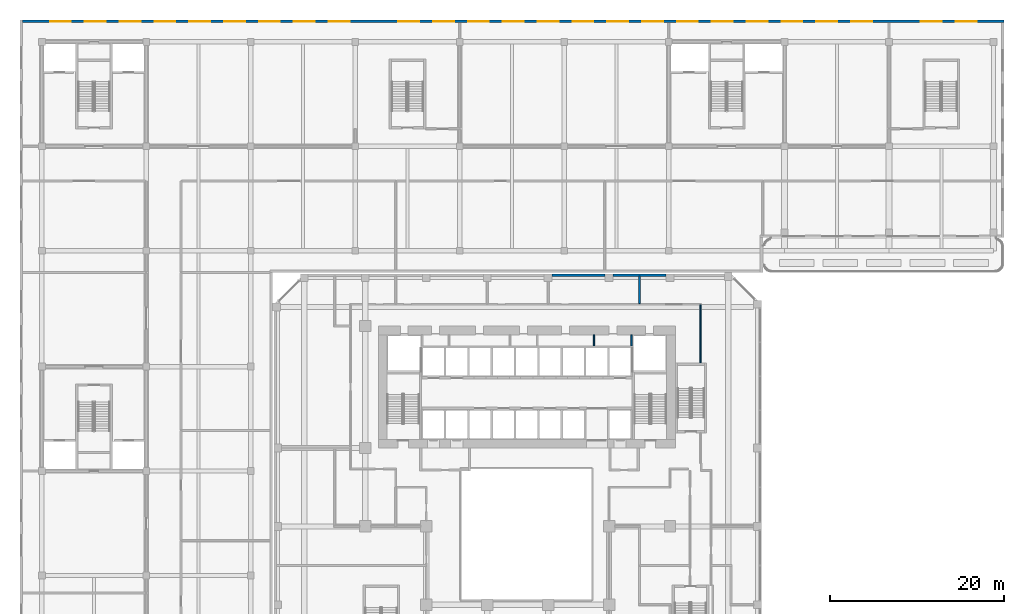
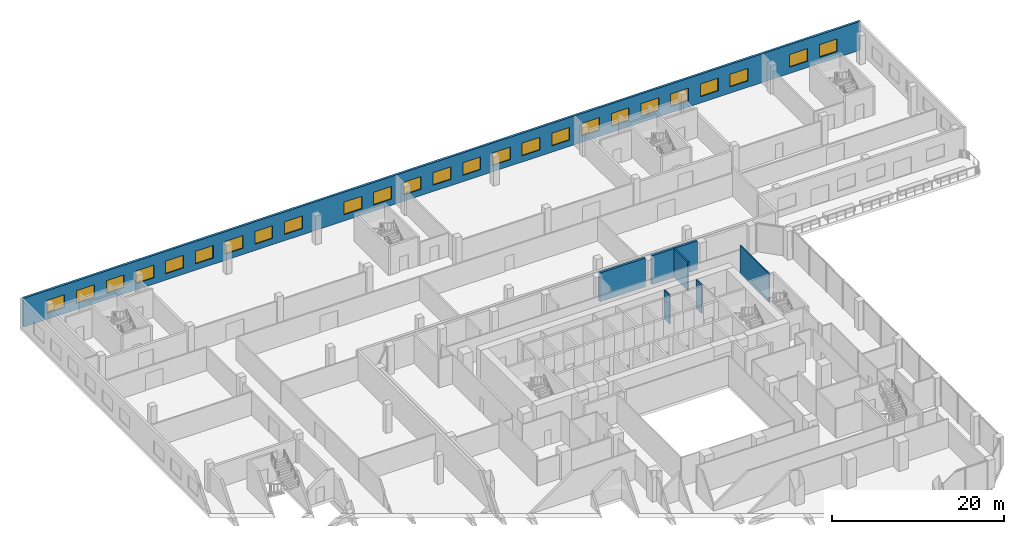
# One storey, part 23 of 35: 25 windows, 7 walls, 25 openings.
"""IFC4 building model written with IfcOpenShell, lengths in metres."""

from ifc_helpers import new_model, si_unit, direction, frame, frame_2d, origin, place, context, subcontext, project, spatial, rectangle, extrude, source, transform, mapped, material, layer, layer_set, type_object, element, fill, save


model = new_model("IFC4")

# Units and contexts
model_context = context("Model", 3, precision=1e-05, world=origin(), true_north=direction((0.0, 1.0)))
body_context = subcontext(model_context, "Body", "Model", "MODEL_VIEW")
ifc_project = project(units=[si_unit("LENGTHUNIT", "METRE"), si_unit("AREAUNIT", "SQUARE_METRE"), si_unit("VOLUMEUNIT", "CUBIC_METRE"), si_unit("PLANEANGLEUNIT", "RADIAN"), si_unit("MASSUNIT", "GRAM", prefix="KILO")], contexts=[model_context])

# Site, building, storey
site_placement = place(None, origin())
site = spatial("IfcSite", under=ifc_project, at=site_placement, CompositionType="ELEMENT")
building_placement = place(site_placement, origin())
building = spatial("IfcBuilding", under=site, at=building_placement, Name="Kilnfold Tower and Market Hall", CompositionType="ELEMENT")
storey_placement = place(building_placement, frame((0.0, 0.0, 13.5)))
storey = spatial("IfcBuildingStorey", under=building, at=storey_placement, Name="L02", CompositionType="ELEMENT", Elevation=13.5)

# Walls
ifc_material_1 = material(Name="Gypsum board on steel studs", Category="steel")
ifc_layer_1 = layer(ifc_material_1, 0.14990234375)
ifc_layer_set_1 = layer_set([ifc_layer_1], Name="Gypsum board on steel studs")
wall_type_1 = type_object("IfcWallType", Name="WALL CORRIDOR 150", PredefinedType="PARTITIONING", material=ifc_layer_set_1)
wall_1_placement = place(storey_placement, frame((21.0, 17.75, 0.0), z_axis=(0.0, 0.0, 1.0), x_axis=(0.0, 1.0, 0.0)))
element("IfcWall", 1, at=wall_1_placement, inside=storey, type_object=wall_type_1, Name="Partition LY03.23", PredefinedType="PARTITIONING", context=body_context, shape_type="SweptSolid", body=[
    extrude(rectangle(XDim=6.675048828125, YDim=0.14990234375, at=frame_2d((3.33740234375, 0.0))), origin(), (0.0, 0.0, 1.0), 4.10009765625),
])
ifc_material_2 = material(Name="Gypsum board on steel studs", Category="steel")
ifc_layer_2 = layer(ifc_material_2, 0.199951171875)
ifc_layer_set_2 = layer_set([ifc_layer_2], Name="Gypsum board on steel studs")
wall_type_2 = type_object("IfcWallType", Name="WALL PARTY 200", PredefinedType="PARTITIONING", material=ifc_layer_set_2)
wall_2_placement = place(storey_placement, frame((14.0, 24.575927734375, 0.0), z_axis=(0.0, 0.0, 1.0), x_axis=(0.0, 1.0, 0.0)))
element("IfcWall", 2, at=wall_2_placement, inside=storey, type_object=wall_type_2, Name="Partition LY03.61", PredefinedType="PARTITIONING", context=body_context, shape_type="SweptSolid", body=[
    extrude(rectangle(XDim=3.174072265625, YDim=0.199951171875, at=frame_2d((1.5869140625, 0.0))), origin(), (0.0, 0.0, 1.0), 4.10009765625),
])
ifc_material_3 = material(Name="Precast concrete C50/60", Category="concrete")
ifc_layer_3 = layer(ifc_material_3, 0.300048828125)
ifc_layer_set_3 = layer_set([ifc_layer_3], Name="Precast concrete C50/60")
wall_type_3 = type_object("IfcWallType", Name="PRECAST WALL 300", PredefinedType="SOLIDWALL", material=ifc_layer_set_3)
shared_shape_1 = source(origin(), body_context, "Body", "SweptSolid", [
    extrude(rectangle(XDim=6.10009765625, YDim=0.300048828125, at=frame_2d((3.050048828125, 0.0))), origin(), (0.0, 0.0, 1.0), 4.10009765625),
])
for number, where, z_axis, x_axis, name in (
    (3, (17.050048828125, 27.85009765625, 0.0), (0.0, 0.0, 1.0), (-1.0, 0.0, 0.0), "Party wall L02 N"),
    (4, (10.050048828125, 27.85009765625, 0.0), (0.0, 0.0, 1.0), (-1.0, 0.0, 0.0), "Party wall L02 N"),
):
    element("IfcWall", number, at=place(storey_placement, frame(where, z_axis=z_axis, x_axis=x_axis)), inside=storey, type_object=wall_type_3, Name=name, PredefinedType="SOLIDWALL", context=body_context, shape_type="MappedRepresentation", body=[
        mapped(shared_shape_1, transform((0.0, 0.0, 0.0))),
    ])

# Wall, openings, windows
ifc_material_4 = material(Name="Concrete blockwork", Category="masonry")
ifc_layer_4 = layer(ifc_material_4, 0.300048828125)
ifc_layer_set_4 = layer_set([ifc_layer_4], Name="Concrete blockwork")
wall_type_4 = type_object("IfcWallType", Name="HALL EXTERNAL WALL 300 EI 60", PredefinedType="SOLIDWALL", material=ifc_layer_set_4)
shared_shape_2 = source(origin(), body_context, "Body", "SweptSolid", [
    extrude(rectangle(XDim=112.7001953125, YDim=0.300048828125, at=frame_2d((56.35009765625, 0.0))), origin(), (0.0, 0.0, 1.0), 4.10009765625),
])
wall_3_placement = place(storey_placement, frame((-56.85009765625, 57.0, 0.0), z_axis=(0.0, 0.0, 1.0), x_axis=(1.0, 0.0, 0.0)))
wall_3 = element("IfcWall", 5, at=wall_3_placement, inside=storey, type_object=wall_type_4, Name="External wall MEW-L02.2", PredefinedType="SOLIDWALL", context=body_context, shape_type="MappedRepresentation", body=[
    mapped(shared_shape_2, transform((0.0, 0.0, 0.0))),
])
opening_1_placement = place(wall_3_placement, frame((3.14990234375, 0.0, 0.89990234375)))
opening_1 = element("IfcOpeningElement", 6, at=opening_1_placement, cuts=wall_3, Name="Opening MEN3", PredefinedType="OPENING", context=body_context, shape_type="SweptSolid", body=[
    extrude(rectangle(XDim=2.39990234375, YDim=1.800048828125, at=frame_2d((1.199951171875, 0.89990234375))), frame((0.0, 0.16015625, 0.0), z_axis=(0.0, -1.0, 0.0), x_axis=(1.0, 0.0, 0.0)), (0.0, 0.0, 1.0), 0.320068359375),
])
opening_2_placement = place(wall_3_placement, frame((7.14990234375, 0.0, 0.89990234375)))
opening_2 = element("IfcOpeningElement", 7, at=opening_2_placement, cuts=wall_3, Name="Opening MEN3", PredefinedType="OPENING", context=body_context, shape_type="SweptSolid", body=[
    extrude(rectangle(XDim=2.39990234375, YDim=1.800048828125, at=frame_2d((1.199951171875, 0.89990234375))), frame((0.0, 0.16015625, 0.0), z_axis=(0.0, -1.0, 0.0), x_axis=(1.0, 0.0, 0.0)), (0.0, 0.0, 1.0), 0.320068359375),
])
opening_3_placement = place(wall_3_placement, frame((11.14990234375, 0.0, 0.89990234375)))
opening_3 = element("IfcOpeningElement", 8, at=opening_3_placement, cuts=wall_3, Name="Opening MEN3", PredefinedType="OPENING", context=body_context, shape_type="SweptSolid", body=[
    extrude(rectangle(XDim=2.39990234375, YDim=1.800048828125, at=frame_2d((1.199951171875, 0.89990234375))), frame((0.0, 0.16015625, 0.0), z_axis=(0.0, -1.0, 0.0), x_axis=(1.0, 0.0, 0.0)), (0.0, 0.0, 1.0), 0.320068359375),
])
opening_4_placement = place(wall_3_placement, frame((15.14990234375, 0.0, 0.89990234375)))
opening_4 = element("IfcOpeningElement", 9, at=opening_4_placement, cuts=wall_3, Name="Opening MEN3", PredefinedType="OPENING", context=body_context, shape_type="SweptSolid", body=[
    extrude(rectangle(XDim=2.39990234375, YDim=1.800048828125, at=frame_2d((1.199951171875, 0.89990234375))), frame((0.0, 0.16015625, 0.0), z_axis=(0.0, -1.0, 0.0), x_axis=(1.0, 0.0, 0.0)), (0.0, 0.0, 1.0), 0.320068359375),
])
opening_5_placement = place(wall_3_placement, frame((19.14990234375, 0.0, 0.89990234375)))
opening_5 = element("IfcOpeningElement", 10, at=opening_5_placement, cuts=wall_3, Name="Opening MEN3", PredefinedType="OPENING", context=body_context, shape_type="SweptSolid", body=[
    extrude(rectangle(XDim=2.39990234375, YDim=1.800048828125, at=frame_2d((1.199951171875, 0.89990234375))), frame((0.0, 0.16015625, 0.0), z_axis=(0.0, -1.0, 0.0), x_axis=(1.0, 0.0, 0.0)), (0.0, 0.0, 1.0), 0.320068359375),
])
opening_6_placement = place(wall_3_placement, frame((23.14990234375, 0.0, 0.89990234375)))
opening_6 = element("IfcOpeningElement", 11, at=opening_6_placement, cuts=wall_3, Name="Opening MEN3", PredefinedType="OPENING", context=body_context, shape_type="SweptSolid", body=[
    extrude(rectangle(XDim=2.39990234375, YDim=1.800048828125, at=frame_2d((1.199951171875, 0.89990234375))), frame((0.0, 0.16015625, 0.0), z_axis=(0.0, -1.0, 0.0), x_axis=(1.0, 0.0, 0.0)), (0.0, 0.0, 1.0), 0.320068359375),
])
opening_7_placement = place(wall_3_placement, frame((27.14990234375, 0.0, 0.89990234375)))
opening_7 = element("IfcOpeningElement", 12, at=opening_7_placement, cuts=wall_3, Name="Opening MEN3", PredefinedType="OPENING", context=body_context, shape_type="SweptSolid", body=[
    extrude(rectangle(XDim=2.39990234375, YDim=1.800048828125, at=frame_2d((1.199951171875, 0.89990234375))), frame((0.0, 0.16015625, 0.0), z_axis=(0.0, -1.0, 0.0), x_axis=(1.0, 0.0, 0.0)), (0.0, 0.0, 1.0), 0.320068359375),
])
opening_8_placement = place(wall_3_placement, frame((31.14990234375, 0.0, 0.89990234375)))
opening_8 = element("IfcOpeningElement", 13, at=opening_8_placement, cuts=wall_3, Name="Opening MEN3", PredefinedType="OPENING", context=body_context, shape_type="SweptSolid", body=[
    extrude(rectangle(XDim=2.39990234375, YDim=1.800048828125, at=frame_2d((1.199951171875, 0.89990234375))), frame((0.0, 0.16015625, 0.0), z_axis=(0.0, -1.0, 0.0), x_axis=(1.0, 0.0, 0.0)), (0.0, 0.0, 1.0), 0.320068359375),
])
opening_9_placement = place(wall_3_placement, frame((35.14990234375, 0.0, 0.89990234375)))
opening_9 = element("IfcOpeningElement", 14, at=opening_9_placement, cuts=wall_3, Name="Opening MEN3", PredefinedType="OPENING", context=body_context, shape_type="SweptSolid", body=[
    extrude(rectangle(XDim=2.39990234375, YDim=1.800048828125, at=frame_2d((1.199951171875, 0.89990234375))), frame((0.0, 0.16015625, 0.0), z_axis=(0.0, -1.0, 0.0), x_axis=(1.0, 0.0, 0.0)), (0.0, 0.0, 1.0), 0.320068359375),
])
opening_10_placement = place(wall_3_placement, frame((43.14990234375, 0.0, 0.89990234375)))
opening_10 = element("IfcOpeningElement", 15, at=opening_10_placement, cuts=wall_3, Name="Opening MEN3", PredefinedType="OPENING", context=body_context, shape_type="SweptSolid", body=[
    extrude(rectangle(XDim=2.39990234375, YDim=1.800048828125, at=frame_2d((1.199951171875, 0.89990234375))), frame((0.0, 0.16015625, 0.0), z_axis=(0.0, -1.0, 0.0), x_axis=(1.0, 0.0, 0.0)), (0.0, 0.0, 1.0), 0.320068359375),
])
opening_11_placement = place(wall_3_placement, frame((47.14990234375, 0.0, 0.89990234375)))
opening_11 = element("IfcOpeningElement", 16, at=opening_11_placement, cuts=wall_3, Name="Opening MEN3", PredefinedType="OPENING", context=body_context, shape_type="SweptSolid", body=[
    extrude(rectangle(XDim=2.39990234375, YDim=1.800048828125, at=frame_2d((1.199951171875, 0.89990234375))), frame((0.0, 0.16015625, 0.0), z_axis=(0.0, -1.0, 0.0), x_axis=(1.0, 0.0, 0.0)), (0.0, 0.0, 1.0), 0.320068359375),
])
opening_12_placement = place(wall_3_placement, frame((51.14990234375, 0.0, 0.89990234375)))
opening_12 = element("IfcOpeningElement", 17, at=opening_12_placement, cuts=wall_3, Name="Opening MEN3", PredefinedType="OPENING", context=body_context, shape_type="SweptSolid", body=[
    extrude(rectangle(XDim=2.39990234375, YDim=1.800048828125, at=frame_2d((1.199951171875, 0.89990234375))), frame((0.0, 0.16015625, 0.0), z_axis=(0.0, -1.0, 0.0), x_axis=(1.0, 0.0, 0.0)), (0.0, 0.0, 1.0), 0.320068359375),
])
opening_13_placement = place(wall_3_placement, frame((55.14990234375, 0.0, 0.89990234375)))
opening_13 = element("IfcOpeningElement", 18, at=opening_13_placement, cuts=wall_3, Name="Opening MEN3", PredefinedType="OPENING", context=body_context, shape_type="SweptSolid", body=[
    extrude(rectangle(XDim=2.39990234375, YDim=1.800048828125, at=frame_2d((1.199951171875, 0.89990234375))), frame((0.0, 0.16015625, 0.0), z_axis=(0.0, -1.0, 0.0), x_axis=(1.0, 0.0, 0.0)), (0.0, 0.0, 1.0), 0.320068359375),
])
opening_14_placement = place(wall_3_placement, frame((59.14990234375, 0.0, 0.89990234375)))
opening_14 = element("IfcOpeningElement", 19, at=opening_14_placement, cuts=wall_3, Name="Opening MEN3", PredefinedType="OPENING", context=body_context, shape_type="SweptSolid", body=[
    extrude(rectangle(XDim=2.39990234375, YDim=1.800048828125, at=frame_2d((1.199951171875, 0.89990234375))), frame((0.0, 0.16015625, 0.0), z_axis=(0.0, -1.0, 0.0), x_axis=(1.0, 0.0, 0.0)), (0.0, 0.0, 1.0), 0.320068359375),
])
opening_15_placement = place(wall_3_placement, frame((63.14990234375, 0.0, 0.89990234375)))
opening_15 = element("IfcOpeningElement", 20, at=opening_15_placement, cuts=wall_3, Name="Opening MEN3", PredefinedType="OPENING", context=body_context, shape_type="SweptSolid", body=[
    extrude(rectangle(XDim=2.39990234375, YDim=1.800048828125, at=frame_2d((1.199951171875, 0.89990234375))), frame((0.0, 0.16015625, 0.0), z_axis=(0.0, -1.0, 0.0), x_axis=(1.0, 0.0, 0.0)), (0.0, 0.0, 1.0), 0.320068359375),
])
opening_16_placement = place(wall_3_placement, frame((67.14990234375, 0.0, 0.89990234375)))
opening_16 = element("IfcOpeningElement", 21, at=opening_16_placement, cuts=wall_3, Name="Opening MEN3", PredefinedType="OPENING", context=body_context, shape_type="SweptSolid", body=[
    extrude(rectangle(XDim=2.39990234375, YDim=1.800048828125, at=frame_2d((1.199951171875, 0.89990234375))), frame((0.0, 0.16015625, 0.0), z_axis=(0.0, -1.0, 0.0), x_axis=(1.0, 0.0, 0.0)), (0.0, 0.0, 1.0), 0.320068359375),
])
opening_17_placement = place(wall_3_placement, frame((71.14990234375, 0.0, 0.89990234375)))
opening_17 = element("IfcOpeningElement", 22, at=opening_17_placement, cuts=wall_3, Name="Opening MEN3", PredefinedType="OPENING", context=body_context, shape_type="SweptSolid", body=[
    extrude(rectangle(XDim=2.39990234375, YDim=1.800048828125, at=frame_2d((1.199951171875, 0.89990234375))), frame((0.0, 0.16015625, 0.0), z_axis=(0.0, -1.0, 0.0), x_axis=(1.0, 0.0, 0.0)), (0.0, 0.0, 1.0), 0.320068359375),
])
opening_18_placement = place(wall_3_placement, frame((75.14990234375, 0.0, 0.89990234375)))
opening_18 = element("IfcOpeningElement", 23, at=opening_18_placement, cuts=wall_3, Name="Opening MEN3", PredefinedType="OPENING", context=body_context, shape_type="SweptSolid", body=[
    extrude(rectangle(XDim=2.39990234375, YDim=1.800048828125, at=frame_2d((1.199951171875, 0.89990234375))), frame((0.0, 0.16015625, 0.0), z_axis=(0.0, -1.0, 0.0), x_axis=(1.0, 0.0, 0.0)), (0.0, 0.0, 1.0), 0.320068359375),
])
opening_19_placement = place(wall_3_placement, frame((79.14990234375, 0.0, 0.89990234375)))
opening_19 = element("IfcOpeningElement", 24, at=opening_19_placement, cuts=wall_3, Name="Opening MEN3", PredefinedType="OPENING", context=body_context, shape_type="SweptSolid", body=[
    extrude(rectangle(XDim=2.39990234375, YDim=1.800048828125, at=frame_2d((1.199951171875, 0.89990234375))), frame((0.0, 0.16015625, 0.0), z_axis=(0.0, -1.0, 0.0), x_axis=(1.0, 0.0, 0.0)), (0.0, 0.0, 1.0), 0.320068359375),
])
opening_20_placement = place(wall_3_placement, frame((83.14990234375, 0.0, 0.89990234375)))
opening_20 = element("IfcOpeningElement", 25, at=opening_20_placement, cuts=wall_3, Name="Opening MEN3", PredefinedType="OPENING", context=body_context, shape_type="SweptSolid", body=[
    extrude(rectangle(XDim=2.39990234375, YDim=1.800048828125, at=frame_2d((1.199951171875, 0.89990234375))), frame((0.0, 0.16015625, 0.0), z_axis=(0.0, -1.0, 0.0), x_axis=(1.0, 0.0, 0.0)), (0.0, 0.0, 1.0), 0.320068359375),
])
opening_21_placement = place(wall_3_placement, frame((87.14990234375, 0.0, 0.89990234375)))
opening_21 = element("IfcOpeningElement", 26, at=opening_21_placement, cuts=wall_3, Name="Opening MEN3", PredefinedType="OPENING", context=body_context, shape_type="SweptSolid", body=[
    extrude(rectangle(XDim=2.39990234375, YDim=1.800048828125, at=frame_2d((1.199951171875, 0.89990234375))), frame((0.0, 0.16015625, 0.0), z_axis=(0.0, -1.0, 0.0), x_axis=(1.0, 0.0, 0.0)), (0.0, 0.0, 1.0), 0.320068359375),
])
opening_22_placement = place(wall_3_placement, frame((91.14990234375, 0.0, 0.89990234375)))
opening_22 = element("IfcOpeningElement", 27, at=opening_22_placement, cuts=wall_3, Name="Opening MEN3", PredefinedType="OPENING", context=body_context, shape_type="SweptSolid", body=[
    extrude(rectangle(XDim=2.39990234375, YDim=1.800048828125, at=frame_2d((1.199951171875, 0.89990234375))), frame((0.0, 0.16015625, 0.0), z_axis=(0.0, -1.0, 0.0), x_axis=(1.0, 0.0, 0.0)), (0.0, 0.0, 1.0), 0.320068359375),
])
opening_23_placement = place(wall_3_placement, frame((95.14990234375, 0.0, 0.89990234375)))
opening_23 = element("IfcOpeningElement", 28, at=opening_23_placement, cuts=wall_3, Name="Opening MEN3", PredefinedType="OPENING", context=body_context, shape_type="SweptSolid", body=[
    extrude(rectangle(XDim=2.39990234375, YDim=1.800048828125, at=frame_2d((1.199951171875, 0.89990234375))), frame((0.0, 0.16015625, 0.0), z_axis=(0.0, -1.0, 0.0), x_axis=(1.0, 0.0, 0.0)), (0.0, 0.0, 1.0), 0.320068359375),
])
opening_24_placement = place(wall_3_placement, frame((103.14990234375, 0.0, 0.89990234375)))
opening_24 = element("IfcOpeningElement", 29, at=opening_24_placement, cuts=wall_3, Name="Opening MEN3", PredefinedType="OPENING", context=body_context, shape_type="SweptSolid", body=[
    extrude(rectangle(XDim=2.39990234375, YDim=1.800048828125, at=frame_2d((1.199951171875, 0.89990234375))), frame((0.0, 0.16015625, 0.0), z_axis=(0.0, -1.0, 0.0), x_axis=(1.0, 0.0, 0.0)), (0.0, 0.0, 1.0), 0.320068359375),
])
opening_25_placement = place(wall_3_placement, frame((107.14990234375, 0.0, 0.89990234375)))
opening_25 = element("IfcOpeningElement", 30, at=opening_25_placement, cuts=wall_3, Name="Opening MEN3", PredefinedType="OPENING", context=body_context, shape_type="SweptSolid", body=[
    extrude(rectangle(XDim=2.39990234375, YDim=1.800048828125, at=frame_2d((1.199951171875, 0.89990234375))), frame((0.0, 0.16015625, 0.0), z_axis=(0.0, -1.0, 0.0), x_axis=(1.0, 0.0, 0.0)), (0.0, 0.0, 1.0), 0.320068359375),
])
ifc_material_5 = material(Name="Aluminium glazing", Category="aluminium")
window_type = type_object("IfcWindowType", Name="HALL WINDOW 2400X1800", PartitioningType="SINGLE_PANEL", PredefinedType="WINDOW", material=ifc_material_5)
window_1_placement = place(opening_1_placement, origin())
window_1 = element("IfcWindow", 31, at=window_1_placement, inside=storey, type_object=window_type, Name="Window upper", OverallHeight=1.800048828125, OverallWidth=2.39990234375, PartitioningType="SINGLE_PANEL", PredefinedType="WINDOW", context=body_context, shape_type="SweptSolid", body=[
    extrude(rectangle(XDim=2.39990234375, YDim=1.800048828125, at=frame_2d((1.199951171875, 0.89990234375))), frame((0.0, 0.030029296875, 0.0), z_axis=(0.0, -1.0, 0.0), x_axis=(1.0, 0.0, 0.0)), (0.0, 0.0, 1.0), 0.06005859375),
])
fill(opening_1, window_1)
window_2_placement = place(opening_2_placement, origin())
window_2 = element("IfcWindow", 32, at=window_2_placement, inside=storey, type_object=window_type, Name="Window upper", OverallHeight=1.800048828125, OverallWidth=2.39990234375, PartitioningType="SINGLE_PANEL", PredefinedType="WINDOW", context=body_context, shape_type="SweptSolid", body=[
    extrude(rectangle(XDim=2.39990234375, YDim=1.800048828125, at=frame_2d((1.199951171875, 0.89990234375))), frame((0.0, 0.030029296875, 0.0), z_axis=(0.0, -1.0, 0.0), x_axis=(1.0, 0.0, 0.0)), (0.0, 0.0, 1.0), 0.06005859375),
])
fill(opening_2, window_2)
window_3_placement = place(opening_3_placement, origin())
window_3 = element("IfcWindow", 33, at=window_3_placement, inside=storey, type_object=window_type, Name="Window upper", OverallHeight=1.800048828125, OverallWidth=2.39990234375, PartitioningType="SINGLE_PANEL", PredefinedType="WINDOW", context=body_context, shape_type="SweptSolid", body=[
    extrude(rectangle(XDim=2.39990234375, YDim=1.800048828125, at=frame_2d((1.199951171875, 0.89990234375))), frame((0.0, 0.030029296875, 0.0), z_axis=(0.0, -1.0, 0.0), x_axis=(1.0, 0.0, 0.0)), (0.0, 0.0, 1.0), 0.06005859375),
])
fill(opening_3, window_3)
window_4_placement = place(opening_4_placement, origin())
window_4 = element("IfcWindow", 34, at=window_4_placement, inside=storey, type_object=window_type, Name="Window upper", OverallHeight=1.800048828125, OverallWidth=2.39990234375, PartitioningType="SINGLE_PANEL", PredefinedType="WINDOW", context=body_context, shape_type="SweptSolid", body=[
    extrude(rectangle(XDim=2.39990234375, YDim=1.800048828125, at=frame_2d((1.199951171875, 0.89990234375))), frame((0.0, 0.030029296875, 0.0), z_axis=(0.0, -1.0, 0.0), x_axis=(1.0, 0.0, 0.0)), (0.0, 0.0, 1.0), 0.06005859375),
])
fill(opening_4, window_4)
window_5_placement = place(opening_5_placement, origin())
window_5 = element("IfcWindow", 35, at=window_5_placement, inside=storey, type_object=window_type, Name="Window upper", OverallHeight=1.800048828125, OverallWidth=2.39990234375, PartitioningType="SINGLE_PANEL", PredefinedType="WINDOW", context=body_context, shape_type="SweptSolid", body=[
    extrude(rectangle(XDim=2.39990234375, YDim=1.800048828125, at=frame_2d((1.199951171875, 0.89990234375))), frame((0.0, 0.030029296875, 0.0), z_axis=(0.0, -1.0, 0.0), x_axis=(1.0, 0.0, 0.0)), (0.0, 0.0, 1.0), 0.06005859375),
])
fill(opening_5, window_5)
window_6_placement = place(opening_6_placement, origin())
window_6 = element("IfcWindow", 36, at=window_6_placement, inside=storey, type_object=window_type, Name="Window upper", OverallHeight=1.800048828125, OverallWidth=2.39990234375, PartitioningType="SINGLE_PANEL", PredefinedType="WINDOW", context=body_context, shape_type="SweptSolid", body=[
    extrude(rectangle(XDim=2.39990234375, YDim=1.800048828125, at=frame_2d((1.199951171875, 0.89990234375))), frame((0.0, 0.030029296875, 0.0), z_axis=(0.0, -1.0, 0.0), x_axis=(1.0, 0.0, 0.0)), (0.0, 0.0, 1.0), 0.06005859375),
])
fill(opening_6, window_6)
window_7_placement = place(opening_7_placement, origin())
window_7 = element("IfcWindow", 37, at=window_7_placement, inside=storey, type_object=window_type, Name="Window upper", OverallHeight=1.800048828125, OverallWidth=2.39990234375, PartitioningType="SINGLE_PANEL", PredefinedType="WINDOW", context=body_context, shape_type="SweptSolid", body=[
    extrude(rectangle(XDim=2.39990234375, YDim=1.800048828125, at=frame_2d((1.199951171875, 0.89990234375))), frame((0.0, 0.030029296875, 0.0), z_axis=(0.0, -1.0, 0.0), x_axis=(1.0, 0.0, 0.0)), (0.0, 0.0, 1.0), 0.06005859375),
])
fill(opening_7, window_7)
window_8_placement = place(opening_8_placement, origin())
window_8 = element("IfcWindow", 38, at=window_8_placement, inside=storey, type_object=window_type, Name="Window upper", OverallHeight=1.800048828125, OverallWidth=2.39990234375, PartitioningType="SINGLE_PANEL", PredefinedType="WINDOW", context=body_context, shape_type="SweptSolid", body=[
    extrude(rectangle(XDim=2.39990234375, YDim=1.800048828125, at=frame_2d((1.199951171875, 0.89990234375))), frame((0.0, 0.030029296875, 0.0), z_axis=(0.0, -1.0, 0.0), x_axis=(1.0, 0.0, 0.0)), (0.0, 0.0, 1.0), 0.06005859375),
])
fill(opening_8, window_8)
window_9_placement = place(opening_9_placement, origin())
window_9 = element("IfcWindow", 39, at=window_9_placement, inside=storey, type_object=window_type, Name="Window upper", OverallHeight=1.800048828125, OverallWidth=2.39990234375, PartitioningType="SINGLE_PANEL", PredefinedType="WINDOW", context=body_context, shape_type="SweptSolid", body=[
    extrude(rectangle(XDim=2.39990234375, YDim=1.800048828125, at=frame_2d((1.199951171875, 0.89990234375))), frame((0.0, 0.030029296875, 0.0), z_axis=(0.0, -1.0, 0.0), x_axis=(1.0, 0.0, 0.0)), (0.0, 0.0, 1.0), 0.06005859375),
])
fill(opening_9, window_9)
window_10_placement = place(opening_10_placement, origin())
window_10 = element("IfcWindow", 40, at=window_10_placement, inside=storey, type_object=window_type, Name="Window upper", OverallHeight=1.800048828125, OverallWidth=2.39990234375, PartitioningType="SINGLE_PANEL", PredefinedType="WINDOW", context=body_context, shape_type="SweptSolid", body=[
    extrude(rectangle(XDim=2.39990234375, YDim=1.800048828125, at=frame_2d((1.199951171875, 0.89990234375))), frame((0.0, 0.030029296875, 0.0), z_axis=(0.0, -1.0, 0.0), x_axis=(1.0, 0.0, 0.0)), (0.0, 0.0, 1.0), 0.06005859375),
])
fill(opening_10, window_10)
window_11_placement = place(opening_11_placement, origin())
window_11 = element("IfcWindow", 41, at=window_11_placement, inside=storey, type_object=window_type, Name="Window upper", OverallHeight=1.800048828125, OverallWidth=2.39990234375, PartitioningType="SINGLE_PANEL", PredefinedType="WINDOW", context=body_context, shape_type="SweptSolid", body=[
    extrude(rectangle(XDim=2.39990234375, YDim=1.800048828125, at=frame_2d((1.199951171875, 0.89990234375))), frame((0.0, 0.030029296875, 0.0), z_axis=(0.0, -1.0, 0.0), x_axis=(1.0, 0.0, 0.0)), (0.0, 0.0, 1.0), 0.06005859375),
])
fill(opening_11, window_11)
window_12_placement = place(opening_12_placement, origin())
window_12 = element("IfcWindow", 42, at=window_12_placement, inside=storey, type_object=window_type, Name="Window upper", OverallHeight=1.800048828125, OverallWidth=2.39990234375, PartitioningType="SINGLE_PANEL", PredefinedType="WINDOW", context=body_context, shape_type="SweptSolid", body=[
    extrude(rectangle(XDim=2.39990234375, YDim=1.800048828125, at=frame_2d((1.199951171875, 0.89990234375))), frame((0.0, 0.030029296875, 0.0), z_axis=(0.0, -1.0, 0.0), x_axis=(1.0, 0.0, 0.0)), (0.0, 0.0, 1.0), 0.06005859375),
])
fill(opening_12, window_12)
window_13_placement = place(opening_13_placement, origin())
window_13 = element("IfcWindow", 43, at=window_13_placement, inside=storey, type_object=window_type, Name="Window upper", OverallHeight=1.800048828125, OverallWidth=2.39990234375, PartitioningType="SINGLE_PANEL", PredefinedType="WINDOW", context=body_context, shape_type="SweptSolid", body=[
    extrude(rectangle(XDim=2.39990234375, YDim=1.800048828125, at=frame_2d((1.199951171875, 0.89990234375))), frame((0.0, 0.030029296875, 0.0), z_axis=(0.0, -1.0, 0.0), x_axis=(1.0, 0.0, 0.0)), (0.0, 0.0, 1.0), 0.06005859375),
])
fill(opening_13, window_13)
window_14_placement = place(opening_14_placement, origin())
window_14 = element("IfcWindow", 44, at=window_14_placement, inside=storey, type_object=window_type, Name="Window upper", OverallHeight=1.800048828125, OverallWidth=2.39990234375, PartitioningType="SINGLE_PANEL", PredefinedType="WINDOW", context=body_context, shape_type="SweptSolid", body=[
    extrude(rectangle(XDim=2.39990234375, YDim=1.800048828125, at=frame_2d((1.199951171875, 0.89990234375))), frame((0.0, 0.030029296875, 0.0), z_axis=(0.0, -1.0, 0.0), x_axis=(1.0, 0.0, 0.0)), (0.0, 0.0, 1.0), 0.06005859375),
])
fill(opening_14, window_14)
window_15_placement = place(opening_15_placement, origin())
window_15 = element("IfcWindow", 45, at=window_15_placement, inside=storey, type_object=window_type, Name="Window upper", OverallHeight=1.800048828125, OverallWidth=2.39990234375, PartitioningType="SINGLE_PANEL", PredefinedType="WINDOW", context=body_context, shape_type="SweptSolid", body=[
    extrude(rectangle(XDim=2.39990234375, YDim=1.800048828125, at=frame_2d((1.199951171875, 0.89990234375))), frame((0.0, 0.030029296875, 0.0), z_axis=(0.0, -1.0, 0.0), x_axis=(1.0, 0.0, 0.0)), (0.0, 0.0, 1.0), 0.06005859375),
])
fill(opening_15, window_15)
window_16_placement = place(opening_16_placement, origin())
window_16 = element("IfcWindow", 46, at=window_16_placement, inside=storey, type_object=window_type, Name="Window upper", OverallHeight=1.800048828125, OverallWidth=2.39990234375, PartitioningType="SINGLE_PANEL", PredefinedType="WINDOW", context=body_context, shape_type="SweptSolid", body=[
    extrude(rectangle(XDim=2.39990234375, YDim=1.800048828125, at=frame_2d((1.199951171875, 0.89990234375))), frame((0.0, 0.030029296875, 0.0), z_axis=(0.0, -1.0, 0.0), x_axis=(1.0, 0.0, 0.0)), (0.0, 0.0, 1.0), 0.06005859375),
])
fill(opening_16, window_16)
window_17_placement = place(opening_17_placement, origin())
window_17 = element("IfcWindow", 47, at=window_17_placement, inside=storey, type_object=window_type, Name="Window upper", OverallHeight=1.800048828125, OverallWidth=2.39990234375, PartitioningType="SINGLE_PANEL", PredefinedType="WINDOW", context=body_context, shape_type="SweptSolid", body=[
    extrude(rectangle(XDim=2.39990234375, YDim=1.800048828125, at=frame_2d((1.199951171875, 0.89990234375))), frame((0.0, 0.030029296875, 0.0), z_axis=(0.0, -1.0, 0.0), x_axis=(1.0, 0.0, 0.0)), (0.0, 0.0, 1.0), 0.06005859375),
])
fill(opening_17, window_17)
window_18_placement = place(opening_18_placement, origin())
window_18 = element("IfcWindow", 48, at=window_18_placement, inside=storey, type_object=window_type, Name="Window upper", OverallHeight=1.800048828125, OverallWidth=2.39990234375, PartitioningType="SINGLE_PANEL", PredefinedType="WINDOW", context=body_context, shape_type="SweptSolid", body=[
    extrude(rectangle(XDim=2.39990234375, YDim=1.800048828125, at=frame_2d((1.199951171875, 0.89990234375))), frame((0.0, 0.030029296875, 0.0), z_axis=(0.0, -1.0, 0.0), x_axis=(1.0, 0.0, 0.0)), (0.0, 0.0, 1.0), 0.06005859375),
])
fill(opening_18, window_18)
window_19_placement = place(opening_19_placement, origin())
window_19 = element("IfcWindow", 49, at=window_19_placement, inside=storey, type_object=window_type, Name="Window upper", OverallHeight=1.800048828125, OverallWidth=2.39990234375, PartitioningType="SINGLE_PANEL", PredefinedType="WINDOW", context=body_context, shape_type="SweptSolid", body=[
    extrude(rectangle(XDim=2.39990234375, YDim=1.800048828125, at=frame_2d((1.199951171875, 0.89990234375))), frame((0.0, 0.030029296875, 0.0), z_axis=(0.0, -1.0, 0.0), x_axis=(1.0, 0.0, 0.0)), (0.0, 0.0, 1.0), 0.06005859375),
])
fill(opening_19, window_19)
window_20_placement = place(opening_20_placement, origin())
window_20 = element("IfcWindow", 50, at=window_20_placement, inside=storey, type_object=window_type, Name="Window upper", OverallHeight=1.800048828125, OverallWidth=2.39990234375, PartitioningType="SINGLE_PANEL", PredefinedType="WINDOW", context=body_context, shape_type="SweptSolid", body=[
    extrude(rectangle(XDim=2.39990234375, YDim=1.800048828125, at=frame_2d((1.199951171875, 0.89990234375))), frame((0.0, 0.030029296875, 0.0), z_axis=(0.0, -1.0, 0.0), x_axis=(1.0, 0.0, 0.0)), (0.0, 0.0, 1.0), 0.06005859375),
])
fill(opening_20, window_20)
window_21_placement = place(opening_21_placement, origin())
window_21 = element("IfcWindow", 51, at=window_21_placement, inside=storey, type_object=window_type, Name="Window upper", OverallHeight=1.800048828125, OverallWidth=2.39990234375, PartitioningType="SINGLE_PANEL", PredefinedType="WINDOW", context=body_context, shape_type="SweptSolid", body=[
    extrude(rectangle(XDim=2.39990234375, YDim=1.800048828125, at=frame_2d((1.199951171875, 0.89990234375))), frame((0.0, 0.030029296875, 0.0), z_axis=(0.0, -1.0, 0.0), x_axis=(1.0, 0.0, 0.0)), (0.0, 0.0, 1.0), 0.06005859375),
])
fill(opening_21, window_21)
window_22_placement = place(opening_22_placement, origin())
window_22 = element("IfcWindow", 52, at=window_22_placement, inside=storey, type_object=window_type, Name="Window upper", OverallHeight=1.800048828125, OverallWidth=2.39990234375, PartitioningType="SINGLE_PANEL", PredefinedType="WINDOW", context=body_context, shape_type="SweptSolid", body=[
    extrude(rectangle(XDim=2.39990234375, YDim=1.800048828125, at=frame_2d((1.199951171875, 0.89990234375))), frame((0.0, 0.030029296875, 0.0), z_axis=(0.0, -1.0, 0.0), x_axis=(1.0, 0.0, 0.0)), (0.0, 0.0, 1.0), 0.06005859375),
])
fill(opening_22, window_22)
window_23_placement = place(opening_23_placement, origin())
window_23 = element("IfcWindow", 53, at=window_23_placement, inside=storey, type_object=window_type, Name="Window upper", OverallHeight=1.800048828125, OverallWidth=2.39990234375, PartitioningType="SINGLE_PANEL", PredefinedType="WINDOW", context=body_context, shape_type="SweptSolid", body=[
    extrude(rectangle(XDim=2.39990234375, YDim=1.800048828125, at=frame_2d((1.199951171875, 0.89990234375))), frame((0.0, 0.030029296875, 0.0), z_axis=(0.0, -1.0, 0.0), x_axis=(1.0, 0.0, 0.0)), (0.0, 0.0, 1.0), 0.06005859375),
])
fill(opening_23, window_23)
window_24_placement = place(opening_24_placement, origin())
window_24 = element("IfcWindow", 54, at=window_24_placement, inside=storey, type_object=window_type, Name="Window upper", OverallHeight=1.800048828125, OverallWidth=2.39990234375, PartitioningType="SINGLE_PANEL", PredefinedType="WINDOW", context=body_context, shape_type="SweptSolid", body=[
    extrude(rectangle(XDim=2.39990234375, YDim=1.800048828125, at=frame_2d((1.199951171875, 0.89990234375))), frame((0.0, 0.030029296875, 0.0), z_axis=(0.0, -1.0, 0.0), x_axis=(1.0, 0.0, 0.0)), (0.0, 0.0, 1.0), 0.06005859375),
])
fill(opening_24, window_24)
window_25_placement = place(opening_25_placement, origin())
window_25 = element("IfcWindow", 55, at=window_25_placement, inside=storey, type_object=window_type, Name="Window upper", OverallHeight=1.800048828125, OverallWidth=2.39990234375, PartitioningType="SINGLE_PANEL", PredefinedType="WINDOW", context=body_context, shape_type="SweptSolid", body=[
    extrude(rectangle(XDim=2.39990234375, YDim=1.800048828125, at=frame_2d((1.199951171875, 0.89990234375))), frame((0.0, 0.030029296875, 0.0), z_axis=(0.0, -1.0, 0.0), x_axis=(1.0, 0.0, 0.0)), (0.0, 0.0, 1.0), 0.06005859375),
])
fill(opening_25, window_25)

# Walls
ifc_material_6 = material(Name="Gypsum shaft wall system")
ifc_layer_5 = layer(ifc_material_6, 0.1650390625)
ifc_layer_set_5 = layer_set([ifc_layer_5], Name="Gypsum shaft wall system")
wall_type_5 = type_object("IfcWallType", Name="SHAFT WALL 165", PredefinedType="PARTITIONING", material=ifc_layer_set_5)
shared_shape_3 = source(origin(), body_context, "Body", "SweptSolid", [
    extrude(rectangle(XDim=1.27490234375, YDim=0.1650390625, at=frame_2d((0.637451171875, 0.0))), origin(), (0.0, 0.0, 1.0), 4.10009765625),
])
wall_4_placement = place(storey_placement, frame((13.0673828125, 19.72509765625, 0.0), z_axis=(0.0, 0.0, 1.0), x_axis=(0.0, 1.0, 0.0)))
element("IfcWall", 56, at=wall_4_placement, inside=storey, type_object=wall_type_5, Name="Lift shaft wall", PredefinedType="PARTITIONING", context=body_context, shape_type="MappedRepresentation", body=[
    mapped(shared_shape_3, transform((0.0, 0.0, 0.0))),
])
ifc_material_7 = material(Name="Gypsum shaft wall system")
ifc_layer_6 = layer(ifc_material_7, 0.14990234375)
ifc_layer_set_6 = layer_set([ifc_layer_6], Name="Gypsum shaft wall system")
wall_type_6 = type_object("IfcWallType", Name="ROOM WALL 150", PredefinedType="PARTITIONING", material=ifc_layer_set_6)
shared_shape_4 = source(origin(), body_context, "Body", "SweptSolid", [
    extrude(rectangle(XDim=1.27490234375, YDim=0.14990234375, at=frame_2d((0.637451171875, 0.0))), origin(), (0.0, 0.0, 1.0), 4.10009765625),
])
wall_5_placement = place(storey_placement, frame((8.768310546875, 19.72509765625, 0.0), z_axis=(0.0, 0.0, 1.0), x_axis=(0.0, 1.0, 0.0)))
element("IfcWall", 57, at=wall_5_placement, inside=storey, type_object=wall_type_6, Name="Core room wall", PredefinedType="PARTITIONING", context=body_context, shape_type="MappedRepresentation", body=[
    mapped(shared_shape_4, transform((0.0, 0.0, 0.0))),
])

save(model, "model.ifc")
